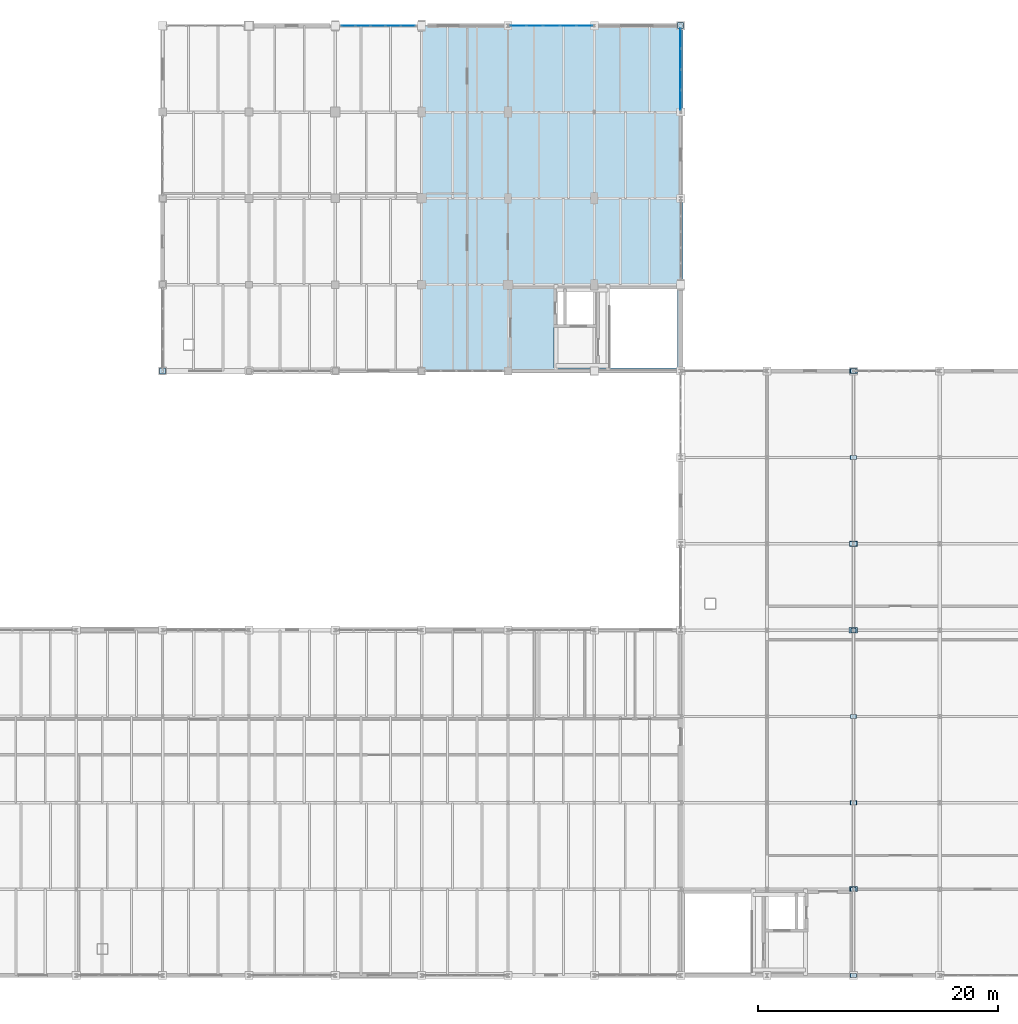
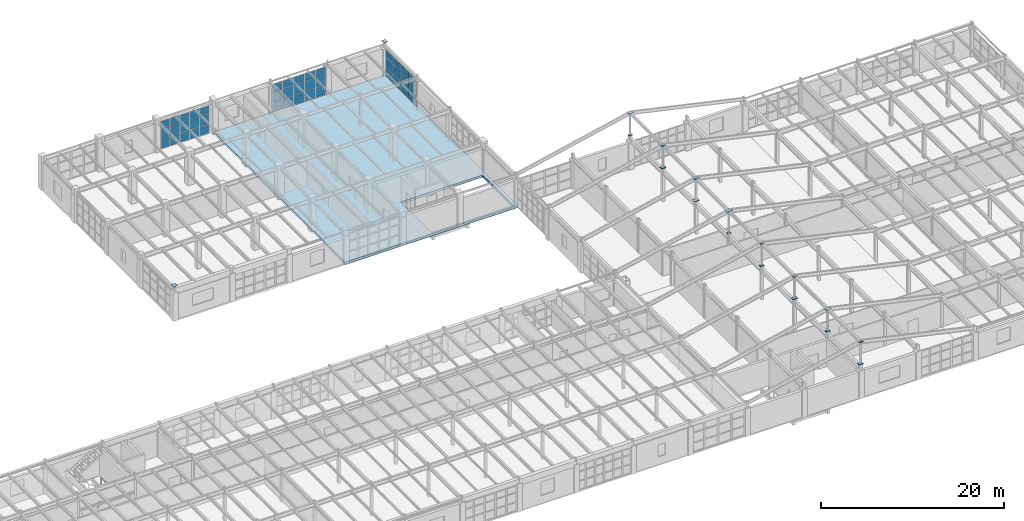
# One storey, part 121 of 137: 60 plates, 1 slab, 3 elements without a shape of their own.
"""IFC4 building model written with IfcOpenShell, lengths in metres."""

import ifcopenshell
import ifcopenshell.guid

model = None  # the IFC model being written
_history = None  # IfcOwnerHistory: only IFC2X3 demands one
_inside = {}  # id of a spatial element -> (the spatial element, [elements in it])
_under = {}  # id of a project, library or spatial element -> (it, [spatial elements below it])
_declared = {}  # id of a project -> (the project, [libraries it declares])
_typed = {}  # id of a type object -> (the type object, [elements of that type])
_made_of = {}  # id of a material, layer set ... -> (it, [elements and type objects made of it])


def new_model(schema):
    """Start an empty IFC model of exactly this schema.

    Asked for "IFC4X3", IfcOpenShell would pick the latest addendum, in which some entities
    have other attributes; the version numbers below select the first issue.
    IFC2X3 requires an IfcOwnerHistory on every rooted entity: one is made here for all.
    """
    global model, _history
    if schema == "IFC4X3":
        model = ifcopenshell.file(schema_version=(4, 3, 0, 0))
    else:
        model = ifcopenshell.file(schema=schema)
    _inside.clear()
    _under.clear()
    _declared.clear()
    _typed.clear()
    _made_of.clear()
    _history = None
    if model.schema == "IFC2X3":
        org = make("IfcOrganization", Name="unknown")
        user = make(
            "IfcPersonAndOrganization",
            ThePerson=make("IfcPerson", FamilyName="unknown"),
            TheOrganization=org,
        )
        app = make(
            "IfcApplication",
            ApplicationDeveloper=org,
            Version="unknown",
            ApplicationFullName="unknown",
            ApplicationIdentifier="unknown",
        )
        _history = make(
            "IfcOwnerHistory",
            OwningUser=user,
            OwningApplication=app,
            ChangeAction="ADDED",
            CreationDate=0,
        )
    return model


def make(cls, **values):
    """One entity of the class cls with the attributes given. An attribute that is None is left unset."""
    return model.create_entity(
        cls, **{name: value for name, value in values.items() if value is not None}
    )


def rooted(cls, **values):
    """An entity with a GlobalId (a new one), such as an element, a storey or a relation."""
    return make(cls, GlobalId=ifcopenshell.guid.new(), OwnerHistory=_history, **values)


def si_unit(unit_type, name, prefix=None):
    """IfcSIUnit, for example si_unit("LENGTHUNIT", "METRE", prefix="MILLI")."""
    return make("IfcSIUnit", UnitType=unit_type, Prefix=prefix, Name=name)


def assignment(units):
    """IfcUnitAssignment: the units of a project."""
    return None if units is None else make("IfcUnitAssignment", Units=units)


def point(xyz):
    """IfcCartesianPoint."""
    return None if xyz is None else make("IfcCartesianPoint", Coordinates=xyz)


def direction(xyz):
    """IfcDirection."""
    return None if xyz is None else make("IfcDirection", DirectionRatios=xyz)


def frame(location, z_axis=None, x_axis=None):
    """IfcAxis2Placement3D, a coordinate frame: its origin and axes. An axis left out is left unset."""
    return make(
        "IfcAxis2Placement3D",
        Location=point(location),
        Axis=direction(z_axis),
        RefDirection=direction(x_axis),
    )


def frame_2d(location, x_axis=None):
    """IfcAxis2Placement2D, a coordinate frame in the plane: its origin and x axis."""
    return make(
        "IfcAxis2Placement2D", Location=point(location), RefDirection=direction(x_axis)
    )


def origin():
    """The frame at (0, 0, 0) with its axes left unset."""
    return frame((0.0, 0.0, 0.0))


def origin_2d():
    """The frame at (0, 0) in the plane with its x axis left unset."""
    return frame_2d((0.0, 0.0))


def place(relative_to, where):
    """IfcLocalPlacement: puts the frame where relative to a parent placement (None: the world)."""
    return make(
        "IfcLocalPlacement", PlacementRelTo=relative_to, RelativePlacement=where
    )


def context(
    kind, dimensions, precision=None, world=None, true_north=None, identifier=None
):
    """IfcGeometricRepresentationContext, for example the 3D "Model" context."""
    return make(
        "IfcGeometricRepresentationContext",
        ContextIdentifier=identifier,
        ContextType=kind,
        CoordinateSpaceDimension=dimensions,
        Precision=precision,
        WorldCoordinateSystem=world,
        TrueNorth=true_north,
    )


def subcontext(parent, identifier, kind, view, scale=None):
    """IfcGeometricRepresentationSubContext, for example "Body" below "Model"."""
    return make(
        "IfcGeometricRepresentationSubContext",
        ContextIdentifier=identifier,
        ContextType=kind,
        ParentContext=parent,
        TargetScale=scale,
        TargetView=view,
    )


def project(units=None, contexts=None):
    """IfcProject with its units and contexts."""
    return rooted(
        "IfcProject",
        Name="project",
        RepresentationContexts=contexts,
        UnitsInContext=assignment(units),
    )


def spatial(cls, under=None, at=None, **own):
    """A site, building, storey or space (cls), placed at a placement, below another one or the project."""
    s = rooted(cls, ObjectPlacement=at, **own)
    if under is not None:
        _under.setdefault(under.id(), (under, []))[1].append(s)
    return s


def polyline(points):
    """IfcPolyline through the points."""
    return make("IfcPolyline", Points=[point(p) for p in points])


def profile(cls, at=None, kind="AREA", **sizes):
    """A parametric profile (cls). Its sizes go by their IFC names, for example OverallWidth=200.0."""
    return make(cls, ProfileType=kind, Position=at, **sizes)


def rectangle(**sizes):
    """IfcRectangleProfileDef."""
    return profile("IfcRectangleProfileDef", **sizes)


def outline(outer, holes=None, kind="AREA"):
    """IfcArbitraryClosedProfileDef: a profile drawn as a closed curve; with holes, ...WithVoids."""
    if holes is None:
        return make("IfcArbitraryClosedProfileDef", ProfileType=kind, OuterCurve=outer)
    return make(
        "IfcArbitraryProfileDefWithVoids",
        ProfileType=kind,
        OuterCurve=outer,
        InnerCurves=holes,
    )


def extrude(swept, where, along, depth):
    """IfcExtrudedAreaSolid: the profile swept, set in the frame where, extruded along a direction by depth."""
    return make(
        "IfcExtrudedAreaSolid",
        SweptArea=swept,
        Position=where,
        ExtrudedDirection=direction(along),
        Depth=depth,
    )


def shape(context_of_items, identifier, shape_type, items):
    """IfcShapeRepresentation: the items that make up one representation, for example the "Body"."""
    return make(
        "IfcShapeRepresentation",
        ContextOfItems=context_of_items,
        RepresentationIdentifier=identifier,
        RepresentationType=shape_type,
        Items=items,
    )


def material(Name=None, Category=None):
    """IfcMaterial."""
    return make("IfcMaterial", Name=Name, Category=Category)


def layer(
    of_material, thickness, ventilated=None, Name=None, Category=None, Priority=None
):
    """IfcMaterialLayer: one layer of a wall or slab, of a material (None: an air gap)."""
    return make(
        "IfcMaterialLayer",
        Material=of_material,
        LayerThickness=thickness,
        IsVentilated=ventilated,
        Name=Name,
        Category=Category,
        Priority=Priority,
    )


def layer_set(layers, Name=None):
    """IfcMaterialLayerSet."""
    return make("IfcMaterialLayerSet", MaterialLayers=layers, LayerSetName=Name)


def made_of(thing, what):
    """Note that an element or type object is made of a material, layer set ...; save() writes the relation."""
    if what is not None:
        _made_of.setdefault(what.id(), (what, []))[1].append(thing)
    return thing


def type_object(cls, material=None, **own):
    """A type object (cls), such as IfcWallType, which elements share."""
    return made_of(rooted(cls, **own), material)


def element(
    cls,
    number,
    at=None,
    inside=None,
    cuts=None,
    type_object=None,
    material=None,
    context=None,
    identifier="Body",
    shape_type=None,
    held_by="IfcProductDefinitionShape",
    body=None,
    shapes=None,
    **own,
):
    """One element of the class cls, such as IfcWall. Its Tag is "e" and its number.

    at: its placement. inside: the storey or other place that contains it. cuts: it is an
    opening in that element (IfcRelVoidsElement). A single representation is given by context,
    identifier, shape_type and body (its items); several are given by shapes. held_by: the class
    of the entity that holds the representations. save() writes the other relations.
    """
    e = rooted(cls, Tag="e%d" % number, ObjectPlacement=at, **own)
    if body is not None:
        shapes = [shape(context, identifier, shape_type, body)]
    if shapes is not None:
        e.Representation = make(held_by, Representations=shapes)
    if inside is not None:
        _inside.setdefault(inside.id(), (inside, []))[1].append(e)
    if cuts is not None:
        rooted(
            "IfcRelVoidsElement", RelatingBuildingElement=cuts, RelatedOpeningElement=e
        )
    if type_object is not None:
        _typed.setdefault(type_object.id(), (type_object, []))[1].append(e)
    return made_of(e, material)


def aggregate(whole, parts):
    """IfcRelAggregates: a whole, such as a stair, and the parts it consists of."""
    return rooted("IfcRelAggregates", RelatingObject=whole, RelatedObjects=parts)


def save(model, path):
    """Write the relations noted so far, then the file.

    IfcRelAggregates (storeys below a building ...), IfcRelContainedInSpatialStructure (elements
    in a storey), IfcRelDefinesByType, IfcRelAssociatesMaterial and IfcRelDeclares: one each for
    every whole, place, type object, material and project.
    """
    for whole, parts in _under.values():
        aggregate(whole, parts)
    for where, things in _inside.values():
        rooted(
            "IfcRelContainedInSpatialStructure",
            RelatedElements=things,
            RelatingStructure=where,
        )
    for kind, things in _typed.values():
        rooted("IfcRelDefinesByType", RelatedObjects=things, RelatingType=kind)
    for what, things in _made_of.values():
        rooted("IfcRelAssociatesMaterial", RelatedObjects=things, RelatingMaterial=what)
    for by, libraries in _declared.values():
        rooted("IfcRelDeclares", RelatingContext=by, RelatedDefinitions=libraries)
    model.write(path)


model = new_model("IFC4")

# Units and contexts
model_context = context("Model", 3, precision=1e-05, world=origin(), true_north=direction((0.0, 1.0)))
body_context = subcontext(model_context, "Body", "Model", "MODEL_VIEW")
ifc_project = project(units=[si_unit("LENGTHUNIT", "METRE"), si_unit("AREAUNIT", "SQUARE_METRE"), si_unit("VOLUMEUNIT", "CUBIC_METRE"), si_unit("PLANEANGLEUNIT", "RADIAN"), si_unit("MASSUNIT", "GRAM", prefix="KILO")], contexts=[model_context])

# Site, building, storey
site_placement = place(None, origin())
site = spatial("IfcSite", under=ifc_project, at=site_placement, CompositionType="ELEMENT")
building_placement = place(site_placement, origin())
building = spatial("IfcBuilding", under=site, at=building_placement, Name="Kemerveld Promenade Tramway Depot", CompositionType="ELEMENT")
storey_placement = place(building_placement, frame((0.0, 0.0, 5.39990234375)))
storey = spatial("IfcBuildingStorey", under=building, at=storey_placement, Name="L01", CompositionType="ELEMENT", Elevation=5.39990234375)

# Curtain wall, plates
ifc_material_1 = material(Name="Bronze anodised aluminium and solar glass", Category="aluminium")
ifc_layer_1 = layer(ifc_material_1, 0.199951171875)
ifc_layer_set_1 = layer_set([ifc_layer_1], Name="CW-SYS-04")
curtain_wall_type_1 = type_object("IfcCurtainWallType", Name="CW-SYS-04", PredefinedType="USERDEFINED", material=ifc_layer_set_1)
curtain_wall_1_placement = place(storey_placement, origin())
curtain_wall_1 = element("IfcCurtainWall", 1, at=curtain_wall_1_placement, inside=storey, type_object=curtain_wall_type_1, Name="CW-L01-V3E-01", ObjectType="GLAZED_CURTAIN_WALL", PredefinedType="USERDEFINED")
ifc_material_2 = material(Name="Solar-control laminated double glazing", Category="glass")
ifc_layer_2 = layer(ifc_material_2, 0.031982421875)
ifc_layer_set_2 = layer_set([ifc_layer_2], Name="CW-PNL-04")
plate_type_1 = type_object("IfcPlateType", Name="CW-PNL-04", PredefinedType="CURTAIN_PANEL", material=ifc_layer_set_2)
plate_1_placement = place(storey_placement, frame((158.39990234375, 78.134765625, 0.065185546875), z_axis=(0.0, 0.0, 1.0), x_axis=(0.0, -1.0, 0.0)))
plate_1 = element("IfcPlate", 2, at=plate_1_placement, type_object=plate_type_1, Name="CW04 panel 1.1", PredefinedType="CURTAIN_PANEL", context=body_context, shape_type="SweptSolid", body=[
    extrude(rectangle(XDim=1.61669921875, YDim=0.031982421875, at=origin_2d()), origin(), (0.0, 0.0, 1.0), 1.19140625),
])
plate_2_placement = place(storey_placement, frame((158.39990234375, 78.134765625, 1.32177734375), z_axis=(0.0, 0.0, 1.0), x_axis=(0.0, -1.0, 0.0)))
plate_2 = element("IfcPlate", 3, at=plate_2_placement, type_object=plate_type_1, Name="CW04 panel 1.2", PredefinedType="CURTAIN_PANEL", context=body_context, shape_type="SweptSolid", body=[
    extrude(rectangle(XDim=1.61669921875, YDim=0.031982421875, at=origin_2d()), origin(), (0.0, 0.0, 1.0), 1.298095703125),
])
plate_3_placement = place(storey_placement, frame((158.39990234375, 78.134765625, 2.6845703125), z_axis=(0.0, 0.0, 1.0), x_axis=(0.0, -1.0, 0.0)))
plate_3 = element("IfcPlate", 4, at=plate_3_placement, type_object=plate_type_1, Name="CW04 panel 1.3", PredefinedType="CURTAIN_PANEL", context=body_context, shape_type="SweptSolid", body=[
    extrude(rectangle(XDim=1.61669921875, YDim=0.031982421875, at=origin_2d()), origin(), (0.0, 0.0, 1.0), 0.933837890625),
])
plate_4_placement = place(storey_placement, frame((158.39990234375, 76.424072265625, 0.065185546875), z_axis=(0.0, 0.0, 1.0), x_axis=(0.0, -1.0, 0.0)))
plate_4 = element("IfcPlate", 5, at=plate_4_placement, type_object=plate_type_1, Name="CW04 panel 2.1", PredefinedType="CURTAIN_PANEL", context=body_context, shape_type="SweptSolid", body=[
    extrude(rectangle(XDim=1.654296875, YDim=0.031982421875, at=origin_2d()), origin(), (0.0, 0.0, 1.0), 1.19140625),
])
plate_5_placement = place(storey_placement, frame((158.39990234375, 76.424072265625, 1.32177734375), z_axis=(0.0, 0.0, 1.0), x_axis=(0.0, -1.0, 0.0)))
plate_5 = element("IfcPlate", 6, at=plate_5_placement, type_object=plate_type_1, Name="CW04 panel 2.2", PredefinedType="CURTAIN_PANEL", context=body_context, shape_type="SweptSolid", body=[
    extrude(rectangle(XDim=1.654296875, YDim=0.031982421875, at=origin_2d()), origin(), (0.0, 0.0, 1.0), 1.298095703125),
])
plate_6_placement = place(storey_placement, frame((158.39990234375, 76.424072265625, 2.6845703125), z_axis=(0.0, 0.0, 1.0), x_axis=(0.0, -1.0, 0.0)))
plate_6 = element("IfcPlate", 7, at=plate_6_placement, type_object=plate_type_1, Name="CW04 panel 2.3", PredefinedType="CURTAIN_PANEL", context=body_context, shape_type="SweptSolid", body=[
    extrude(rectangle(XDim=1.654296875, YDim=0.031982421875, at=origin_2d()), origin(), (0.0, 0.0, 1.0), 0.933837890625),
])
plate_7_placement = place(storey_placement, frame((158.39990234375, 74.69482421875, 0.065185546875), z_axis=(0.0, 0.0, 1.0), x_axis=(0.0, -1.0, 0.0)))
plate_7 = element("IfcPlate", 8, at=plate_7_placement, type_object=plate_type_1, Name="CW04 panel 3.1", PredefinedType="CURTAIN_PANEL", context=body_context, shape_type="SweptSolid", body=[
    extrude(rectangle(XDim=1.654296875, YDim=0.031982421875, at=origin_2d()), origin(), (0.0, 0.0, 1.0), 1.19140625),
])
plate_8_placement = place(storey_placement, frame((158.39990234375, 74.69482421875, 1.32177734375), z_axis=(0.0, 0.0, 1.0), x_axis=(0.0, -1.0, 0.0)))
plate_8 = element("IfcPlate", 9, at=plate_8_placement, type_object=plate_type_1, Name="CW04 panel 3.2", PredefinedType="CURTAIN_PANEL", context=body_context, shape_type="SweptSolid", body=[
    extrude(rectangle(XDim=1.654296875, YDim=0.031982421875, at=origin_2d()), origin(), (0.0, 0.0, 1.0), 1.298095703125),
])
plate_9_placement = place(storey_placement, frame((158.39990234375, 74.69482421875, 2.6845703125), z_axis=(0.0, 0.0, 1.0), x_axis=(0.0, -1.0, 0.0)))
plate_9 = element("IfcPlate", 10, at=plate_9_placement, type_object=plate_type_1, Name="CW04 panel 3.3", PredefinedType="CURTAIN_PANEL", context=body_context, shape_type="SweptSolid", body=[
    extrude(rectangle(XDim=1.654296875, YDim=0.031982421875, at=origin_2d()), origin(), (0.0, 0.0, 1.0), 0.933837890625),
])
plate_10_placement = place(storey_placement, frame((158.39990234375, 72.984375, 0.065185546875), z_axis=(0.0, 0.0, 1.0), x_axis=(0.0, -1.0, 0.0)))
plate_10 = element("IfcPlate", 11, at=plate_10_placement, type_object=plate_type_1, Name="CW04 panel 4.1", PredefinedType="CURTAIN_PANEL", context=body_context, shape_type="SweptSolid", body=[
    extrude(rectangle(XDim=1.61669921875, YDim=0.031982421875, at=origin_2d()), origin(), (0.0, 0.0, 1.0), 1.19140625),
])
plate_11_placement = place(storey_placement, frame((158.39990234375, 72.984375, 1.32177734375), z_axis=(0.0, 0.0, 1.0), x_axis=(0.0, -1.0, 0.0)))
plate_11 = element("IfcPlate", 12, at=plate_11_placement, type_object=plate_type_1, Name="CW04 panel 4.2", PredefinedType="CURTAIN_PANEL", context=body_context, shape_type="SweptSolid", body=[
    extrude(rectangle(XDim=1.61669921875, YDim=0.031982421875, at=origin_2d()), origin(), (0.0, 0.0, 1.0), 1.298095703125),
])
plate_12_placement = place(storey_placement, frame((158.39990234375, 72.984375, 2.6845703125), z_axis=(0.0, 0.0, 1.0), x_axis=(0.0, -1.0, 0.0)))
plate_12 = element("IfcPlate", 13, at=plate_12_placement, type_object=plate_type_1, Name="CW04 panel 4.3", PredefinedType="CURTAIN_PANEL", context=body_context, shape_type="SweptSolid", body=[
    extrude(rectangle(XDim=1.61669921875, YDim=0.031982421875, at=origin_2d()), origin(), (0.0, 0.0, 1.0), 0.933837890625),
])
aggregate(curtain_wall_1, [plate_1, plate_2, plate_3, plate_4, plate_5, plate_6, plate_7, plate_8, plate_9, plate_10, plate_11, plate_12])

ifc_layer_3 = layer(ifc_material_1, 0.199951171875)
ifc_layer_set_3 = layer_set([ifc_layer_3], Name="CW-SYS-06")
curtain_wall_type_2 = type_object("IfcCurtainWallType", Name="CW-SYS-06", PredefinedType="USERDEFINED", material=ifc_layer_set_3)
curtain_wall_2_placement = place(storey_placement, origin())
curtain_wall_2 = element("IfcCurtainWall", 14, at=curtain_wall_2_placement, inside=storey, type_object=curtain_wall_type_2, Name="CW-L01-V3N-03", ObjectType="GLAZED_CURTAIN_WALL", PredefinedType="USERDEFINED")
ifc_layer_4 = layer(ifc_material_2, 0.02587890625)
ifc_layer_set_4 = layer_set([ifc_layer_4], Name="CW-PNL-06")
plate_type_2 = type_object("IfcPlateType", Name="CW-PNL-06", PredefinedType="CURTAIN_PANEL", material=ifc_layer_set_4)
plate_13_placement = place(storey_placement, frame((130.689697265625, 79.199951171875, 0.06494140625), z_axis=(0.0, 0.0, 1.0), x_axis=(1.0, 0.0, 0.0)))
plate_13 = element("IfcPlate", 15, at=plate_13_placement, type_object=plate_type_2, Name="CW06 panel 1.1", PredefinedType="CURTAIN_PANEL", context=body_context, shape_type="SweptSolid", body=[
    extrude(rectangle(XDim=1.139404296875, YDim=0.02587890625, at=origin_2d()), origin(), (0.0, 0.0, 1.0), 1.215576171875),
])
plate_14_placement = place(storey_placement, frame((130.689697265625, 79.199951171875, 1.345703125), z_axis=(0.0, 0.0, 1.0), x_axis=(1.0, 0.0, 0.0)))
plate_14 = element("IfcPlate", 16, at=plate_14_placement, type_object=plate_type_2, Name="CW06 panel 1.2", PredefinedType="CURTAIN_PANEL", context=body_context, shape_type="SweptSolid", body=[
    extrude(rectangle(XDim=1.139404296875, YDim=0.02587890625, at=origin_2d()), origin(), (0.0, 0.0, 1.0), 1.322021484375),
])
plate_15_placement = place(storey_placement, frame((130.689697265625, 79.199951171875, 2.732421875), z_axis=(0.0, 0.0, 1.0), x_axis=(1.0, 0.0, 0.0)))
plate_15 = element("IfcPlate", 17, at=plate_15_placement, type_object=plate_type_2, Name="CW06 panel 1.3", PredefinedType="CURTAIN_PANEL", context=body_context, shape_type="SweptSolid", body=[
    extrude(rectangle(XDim=1.139404296875, YDim=0.02587890625, at=origin_2d()), origin(), (0.0, 0.0, 1.0), 0.952392578125),
])
plate_16_placement = place(storey_placement, frame((131.923095703125, 79.199951171875, 0.06494140625), z_axis=(0.0, 0.0, 1.0), x_axis=(1.0, 0.0, 0.0)))
plate_16 = element("IfcPlate", 18, at=plate_16_placement, type_object=plate_type_2, Name="CW06 panel 2.1", PredefinedType="CURTAIN_PANEL", context=body_context, shape_type="SweptSolid", body=[
    extrude(rectangle(XDim=1.177001953125, YDim=0.02587890625, at=origin_2d()), origin(), (0.0, 0.0, 1.0), 1.215576171875),
])
plate_17_placement = place(storey_placement, frame((131.923095703125, 79.199951171875, 1.345703125), z_axis=(0.0, 0.0, 1.0), x_axis=(1.0, 0.0, 0.0)))
plate_17 = element("IfcPlate", 19, at=plate_17_placement, type_object=plate_type_2, Name="CW06 panel 2.2", PredefinedType="CURTAIN_PANEL", context=body_context, shape_type="SweptSolid", body=[
    extrude(rectangle(XDim=1.177001953125, YDim=0.02587890625, at=origin_2d()), origin(), (0.0, 0.0, 1.0), 1.322021484375),
])
plate_18_placement = place(storey_placement, frame((131.923095703125, 79.199951171875, 2.732421875), z_axis=(0.0, 0.0, 1.0), x_axis=(1.0, 0.0, 0.0)))
plate_18 = element("IfcPlate", 20, at=plate_18_placement, type_object=plate_type_2, Name="CW06 panel 2.3", PredefinedType="CURTAIN_PANEL", context=body_context, shape_type="SweptSolid", body=[
    extrude(rectangle(XDim=1.177001953125, YDim=0.02587890625, at=origin_2d()), origin(), (0.0, 0.0, 1.0), 0.952392578125),
])
plate_19_placement = place(storey_placement, frame((133.175048828125, 79.199951171875, 0.06494140625), z_axis=(0.0, 0.0, 1.0), x_axis=(1.0, 0.0, 0.0)))
plate_19 = element("IfcPlate", 21, at=plate_19_placement, type_object=plate_type_2, Name="CW06 panel 3.1", PredefinedType="CURTAIN_PANEL", context=body_context, shape_type="SweptSolid", body=[
    extrude(rectangle(XDim=1.177001953125, YDim=0.02587890625, at=origin_2d()), origin(), (0.0, 0.0, 1.0), 1.215576171875),
])
plate_20_placement = place(storey_placement, frame((133.175048828125, 79.199951171875, 1.345703125), z_axis=(0.0, 0.0, 1.0), x_axis=(1.0, 0.0, 0.0)))
plate_20 = element("IfcPlate", 22, at=plate_20_placement, type_object=plate_type_2, Name="CW06 panel 3.2", PredefinedType="CURTAIN_PANEL", context=body_context, shape_type="SweptSolid", body=[
    extrude(rectangle(XDim=1.177001953125, YDim=0.02587890625, at=origin_2d()), origin(), (0.0, 0.0, 1.0), 1.322021484375),
])
plate_21_placement = place(storey_placement, frame((133.175048828125, 79.199951171875, 2.732421875), z_axis=(0.0, 0.0, 1.0), x_axis=(1.0, 0.0, 0.0)))
plate_21 = element("IfcPlate", 23, at=plate_21_placement, type_object=plate_type_2, Name="CW06 panel 3.3", PredefinedType="CURTAIN_PANEL", context=body_context, shape_type="SweptSolid", body=[
    extrude(rectangle(XDim=1.177001953125, YDim=0.02587890625, at=origin_2d()), origin(), (0.0, 0.0, 1.0), 0.952392578125),
])
plate_22_placement = place(storey_placement, frame((134.427001953125, 79.199951171875, 0.06494140625), z_axis=(0.0, 0.0, 1.0), x_axis=(1.0, 0.0, 0.0)))
plate_22 = element("IfcPlate", 24, at=plate_22_placement, type_object=plate_type_2, Name="CW06 panel 4.1", PredefinedType="CURTAIN_PANEL", context=body_context, shape_type="SweptSolid", body=[
    extrude(rectangle(XDim=1.177001953125, YDim=0.02587890625, at=origin_2d()), origin(), (0.0, 0.0, 1.0), 1.215576171875),
])
plate_23_placement = place(storey_placement, frame((134.427001953125, 79.199951171875, 1.345703125), z_axis=(0.0, 0.0, 1.0), x_axis=(1.0, 0.0, 0.0)))
plate_23 = element("IfcPlate", 25, at=plate_23_placement, type_object=plate_type_2, Name="CW06 panel 4.2", PredefinedType="CURTAIN_PANEL", context=body_context, shape_type="SweptSolid", body=[
    extrude(rectangle(XDim=1.177001953125, YDim=0.02587890625, at=origin_2d()), origin(), (0.0, 0.0, 1.0), 1.322021484375),
])
plate_24_placement = place(storey_placement, frame((134.427001953125, 79.199951171875, 2.732421875), z_axis=(0.0, 0.0, 1.0), x_axis=(1.0, 0.0, 0.0)))
plate_24 = element("IfcPlate", 26, at=plate_24_placement, type_object=plate_type_2, Name="CW06 panel 4.3", PredefinedType="CURTAIN_PANEL", context=body_context, shape_type="SweptSolid", body=[
    extrude(rectangle(XDim=1.177001953125, YDim=0.02587890625, at=origin_2d()), origin(), (0.0, 0.0, 1.0), 0.952392578125),
])
plate_25_placement = place(storey_placement, frame((135.66015625, 79.199951171875, 0.06494140625), z_axis=(0.0, 0.0, 1.0), x_axis=(1.0, 0.0, 0.0)))
plate_25 = element("IfcPlate", 27, at=plate_25_placement, type_object=plate_type_2, Name="CW06 panel 5.1", PredefinedType="CURTAIN_PANEL", context=body_context, shape_type="SweptSolid", body=[
    extrude(rectangle(XDim=1.139404296875, YDim=0.02587890625, at=origin_2d()), origin(), (0.0, 0.0, 1.0), 1.215576171875),
])
plate_26_placement = place(storey_placement, frame((135.66015625, 79.199951171875, 1.345703125), z_axis=(0.0, 0.0, 1.0), x_axis=(1.0, 0.0, 0.0)))
plate_26 = element("IfcPlate", 28, at=plate_26_placement, type_object=plate_type_2, Name="CW06 panel 5.2", PredefinedType="CURTAIN_PANEL", context=body_context, shape_type="SweptSolid", body=[
    extrude(rectangle(XDim=1.139404296875, YDim=0.02587890625, at=origin_2d()), origin(), (0.0, 0.0, 1.0), 1.322021484375),
])
plate_27_placement = place(storey_placement, frame((135.66015625, 79.199951171875, 2.732421875), z_axis=(0.0, 0.0, 1.0), x_axis=(1.0, 0.0, 0.0)))
plate_27 = element("IfcPlate", 29, at=plate_27_placement, type_object=plate_type_2, Name="CW06 panel 5.3", PredefinedType="CURTAIN_PANEL", context=body_context, shape_type="SweptSolid", body=[
    extrude(rectangle(XDim=1.139404296875, YDim=0.02587890625, at=origin_2d()), origin(), (0.0, 0.0, 1.0), 0.952392578125),
])
aggregate(curtain_wall_2, [plate_13, plate_14, plate_15, plate_16, plate_17, plate_18, plate_19, plate_20, plate_21, plate_22, plate_23, plate_24, plate_25, plate_26, plate_27])

ifc_layer_5 = layer(ifc_material_1, 0.199951171875)
ifc_layer_set_5 = layer_set([ifc_layer_5], Name="CW-SYS-08")
curtain_wall_type_3 = type_object("IfcCurtainWallType", Name="CW-SYS-08", PredefinedType="USERDEFINED", material=ifc_layer_set_5)
curtain_wall_3_placement = place(storey_placement, origin())
curtain_wall_3 = element("IfcCurtainWall", 30, at=curtain_wall_3_placement, inside=storey, type_object=curtain_wall_type_3, Name="CW-L01-V3N-05", ObjectType="GLAZED_CURTAIN_WALL", PredefinedType="USERDEFINED")
ifc_layer_6 = layer(ifc_material_2, 0.028076171875)
ifc_layer_set_6 = layer_set([ifc_layer_6], Name="CW-PNL-08")
plate_type_3 = type_object("IfcPlateType", Name="CW-PNL-08", PredefinedType="CURTAIN_PANEL", material=ifc_layer_set_6)
plate_28_placement = place(storey_placement, frame((144.87109375, 79.199951171875, 0.06494140625), z_axis=(0.0, 0.0, 1.0), x_axis=(1.0, 0.0, 0.0)))
plate_28 = element("IfcPlate", 31, at=plate_28_placement, type_object=plate_type_3, Name="CW08 panel 1.1", PredefinedType="CURTAIN_PANEL", context=body_context, shape_type="SweptSolid", body=[
    extrude(rectangle(XDim=1.275634765625, YDim=0.028076171875, at=origin_2d()), origin(), (0.0, 0.0, 1.0), 1.215576171875),
])
plate_29_placement = place(storey_placement, frame((144.87109375, 79.199951171875, 1.345703125), z_axis=(0.0, 0.0, 1.0), x_axis=(1.0, 0.0, 0.0)))
plate_29 = element("IfcPlate", 32, at=plate_29_placement, type_object=plate_type_3, Name="CW08 panel 1.2", PredefinedType="CURTAIN_PANEL", context=body_context, shape_type="SweptSolid", body=[
    extrude(rectangle(XDim=1.275634765625, YDim=0.028076171875, at=origin_2d()), origin(), (0.0, 0.0, 1.0), 1.322021484375),
])
plate_30_placement = place(storey_placement, frame((144.87109375, 79.199951171875, 2.732421875), z_axis=(0.0, 0.0, 1.0), x_axis=(1.0, 0.0, 0.0)))
plate_30 = element("IfcPlate", 33, at=plate_30_placement, type_object=plate_type_3, Name="CW08 panel 1.3", PredefinedType="CURTAIN_PANEL", context=body_context, shape_type="SweptSolid", body=[
    extrude(rectangle(XDim=1.275634765625, YDim=0.028076171875, at=origin_2d()), origin(), (0.0, 0.0, 1.0), 0.952392578125),
])
plate_31_placement = place(storey_placement, frame((146.240478515625, 79.199951171875, 0.06494140625), z_axis=(0.0, 0.0, 1.0), x_axis=(1.0, 0.0, 0.0)))
plate_31 = element("IfcPlate", 34, at=plate_31_placement, type_object=plate_type_3, Name="CW08 panel 2.1", PredefinedType="CURTAIN_PANEL", context=body_context, shape_type="SweptSolid", body=[
    extrude(rectangle(XDim=1.313232421875, YDim=0.028076171875, at=origin_2d()), origin(), (0.0, 0.0, 1.0), 1.215576171875),
])
plate_32_placement = place(storey_placement, frame((146.240478515625, 79.199951171875, 1.345703125), z_axis=(0.0, 0.0, 1.0), x_axis=(1.0, 0.0, 0.0)))
plate_32 = element("IfcPlate", 35, at=plate_32_placement, type_object=plate_type_3, Name="CW08 panel 2.2", PredefinedType="CURTAIN_PANEL", context=body_context, shape_type="SweptSolid", body=[
    extrude(rectangle(XDim=1.313232421875, YDim=0.028076171875, at=origin_2d()), origin(), (0.0, 0.0, 1.0), 1.322021484375),
])
plate_33_placement = place(storey_placement, frame((146.240478515625, 79.199951171875, 2.732421875), z_axis=(0.0, 0.0, 1.0), x_axis=(1.0, 0.0, 0.0)))
plate_33 = element("IfcPlate", 36, at=plate_33_placement, type_object=plate_type_3, Name="CW08 panel 2.3", PredefinedType="CURTAIN_PANEL", context=body_context, shape_type="SweptSolid", body=[
    extrude(rectangle(XDim=1.313232421875, YDim=0.028076171875, at=origin_2d()), origin(), (0.0, 0.0, 1.0), 0.952392578125),
])
plate_34_placement = place(storey_placement, frame((147.628662109375, 79.199951171875, 0.06494140625), z_axis=(0.0, 0.0, 1.0), x_axis=(1.0, 0.0, 0.0)))
plate_34 = element("IfcPlate", 37, at=plate_34_placement, type_object=plate_type_3, Name="CW08 panel 3.1", PredefinedType="CURTAIN_PANEL", context=body_context, shape_type="SweptSolid", body=[
    extrude(rectangle(XDim=1.313232421875, YDim=0.028076171875, at=origin_2d()), origin(), (0.0, 0.0, 1.0), 1.215576171875),
])
plate_35_placement = place(storey_placement, frame((147.628662109375, 79.199951171875, 1.345703125), z_axis=(0.0, 0.0, 1.0), x_axis=(1.0, 0.0, 0.0)))
plate_35 = element("IfcPlate", 38, at=plate_35_placement, type_object=plate_type_3, Name="CW08 panel 3.2", PredefinedType="CURTAIN_PANEL", context=body_context, shape_type="SweptSolid", body=[
    extrude(rectangle(XDim=1.313232421875, YDim=0.028076171875, at=origin_2d()), origin(), (0.0, 0.0, 1.0), 1.322021484375),
])
plate_36_placement = place(storey_placement, frame((147.628662109375, 79.199951171875, 2.732421875), z_axis=(0.0, 0.0, 1.0), x_axis=(1.0, 0.0, 0.0)))
plate_36 = element("IfcPlate", 39, at=plate_36_placement, type_object=plate_type_3, Name="CW08 panel 3.3", PredefinedType="CURTAIN_PANEL", context=body_context, shape_type="SweptSolid", body=[
    extrude(rectangle(XDim=1.313232421875, YDim=0.028076171875, at=origin_2d()), origin(), (0.0, 0.0, 1.0), 0.952392578125),
])
plate_37_placement = place(storey_placement, frame((149.016845703125, 79.199951171875, 0.06494140625), z_axis=(0.0, 0.0, 1.0), x_axis=(1.0, 0.0, 0.0)))
plate_37 = element("IfcPlate", 40, at=plate_37_placement, type_object=plate_type_3, Name="CW08 panel 4.1", PredefinedType="CURTAIN_PANEL", context=body_context, shape_type="SweptSolid", body=[
    extrude(rectangle(XDim=1.313232421875, YDim=0.028076171875, at=origin_2d()), origin(), (0.0, 0.0, 1.0), 1.215576171875),
])
plate_38_placement = place(storey_placement, frame((149.016845703125, 79.199951171875, 1.345703125), z_axis=(0.0, 0.0, 1.0), x_axis=(1.0, 0.0, 0.0)))
plate_38 = element("IfcPlate", 41, at=plate_38_placement, type_object=plate_type_3, Name="CW08 panel 4.2", PredefinedType="CURTAIN_PANEL", context=body_context, shape_type="SweptSolid", body=[
    extrude(rectangle(XDim=1.313232421875, YDim=0.028076171875, at=origin_2d()), origin(), (0.0, 0.0, 1.0), 1.322021484375),
])
plate_39_placement = place(storey_placement, frame((149.016845703125, 79.199951171875, 2.732421875), z_axis=(0.0, 0.0, 1.0), x_axis=(1.0, 0.0, 0.0)))
plate_39 = element("IfcPlate", 42, at=plate_39_placement, type_object=plate_type_3, Name="CW08 panel 4.3", PredefinedType="CURTAIN_PANEL", context=body_context, shape_type="SweptSolid", body=[
    extrude(rectangle(XDim=1.313232421875, YDim=0.028076171875, at=origin_2d()), origin(), (0.0, 0.0, 1.0), 0.952392578125),
])
plate_40_placement = place(storey_placement, frame((150.38623046875, 79.199951171875, 0.06494140625), z_axis=(0.0, 0.0, 1.0), x_axis=(1.0, 0.0, 0.0)))
plate_40 = element("IfcPlate", 43, at=plate_40_placement, type_object=plate_type_3, Name="CW08 panel 5.1", PredefinedType="CURTAIN_PANEL", context=body_context, shape_type="SweptSolid", body=[
    extrude(rectangle(XDim=1.275634765625, YDim=0.028076171875, at=origin_2d()), origin(), (0.0, 0.0, 1.0), 1.215576171875),
])
plate_41_placement = place(storey_placement, frame((150.38623046875, 79.199951171875, 1.345703125), z_axis=(0.0, 0.0, 1.0), x_axis=(1.0, 0.0, 0.0)))
plate_41 = element("IfcPlate", 44, at=plate_41_placement, type_object=plate_type_3, Name="CW08 panel 5.2", PredefinedType="CURTAIN_PANEL", context=body_context, shape_type="SweptSolid", body=[
    extrude(rectangle(XDim=1.275634765625, YDim=0.028076171875, at=origin_2d()), origin(), (0.0, 0.0, 1.0), 1.322021484375),
])
plate_42_placement = place(storey_placement, frame((150.38623046875, 79.199951171875, 2.732421875), z_axis=(0.0, 0.0, 1.0), x_axis=(1.0, 0.0, 0.0)))
plate_42 = element("IfcPlate", 45, at=plate_42_placement, type_object=plate_type_3, Name="CW08 panel 5.3", PredefinedType="CURTAIN_PANEL", context=body_context, shape_type="SweptSolid", body=[
    extrude(rectangle(XDim=1.275634765625, YDim=0.028076171875, at=origin_2d()), origin(), (0.0, 0.0, 1.0), 0.952392578125),
])
aggregate(curtain_wall_3, [plate_28, plate_29, plate_30, plate_31, plate_32, plate_33, plate_34, plate_35, plate_36, plate_37, plate_38, plate_39, plate_40, plate_41, plate_42])

# Plates
ifc_material_3 = material(Name="Steel S355", Category="steel")
ifc_layer_7 = layer(ifc_material_3, 0.02490234375)
ifc_layer_set_7 = layer_set([ifc_layer_7], Name="PL-BP11")
plate_type_4 = type_object("IfcPlateType", Name="PL-BP11", PredefinedType="USERDEFINED", material=ifc_layer_set_7)
for number, where, z_axis, x_axis, name in (
    (46, (115.199951171875, 50.39990234375, 4.499755859375), (0.0, 0.0, 1.0), (1.0, 0.0, 0.0), "CAP-COL-17H"),
    (47, (158.39990234375, 79.199951171875, 4.499755859375), (0.0, 0.0, 1.0), (1.0, 0.0, 0.0), "CAP-COL-23M"),
):
    element("IfcPlate", number, at=place(storey_placement, frame(where, z_axis=z_axis, x_axis=x_axis)), inside=storey, type_object=plate_type_4, Name=name, ObjectType="BASE_PLATE", PredefinedType="USERDEFINED", context=body_context, shape_type="SweptSolid", body=[
        extrude(rectangle(XDim=0.5, YDim=0.5, at=origin_2d()), origin(), (0.0, 0.0, 1.0), 0.02490234375),
    ])
ifc_layer_8 = layer(ifc_material_3, 0.02490234375)
ifc_layer_set_8 = layer_set([ifc_layer_8], Name="PL-GS01")
plate_type_5 = type_object("IfcPlateType", Name="PL-GS01", PredefinedType="USERDEFINED", material=ifc_layer_set_8)
for number, where, z_axis, x_axis, name in (
    (48, (172.800048828125, 7.199951171875, 7.402587890625), (0.0, 0.0, 1.0), (1.0, 0.0, 0.0), "GP-NODE-0004"),
    (49, (172.800048828125, 50.39990234375, 7.402587890625), (0.0, 0.0, 1.0), (1.0, 0.0, 0.0), "GP-NODE-0016"),
):
    element("IfcPlate", number, at=place(storey_placement, frame(where, z_axis=z_axis, x_axis=x_axis)), inside=storey, type_object=plate_type_5, Name=name, ObjectType="GUSSET_PLATE", PredefinedType="USERDEFINED", context=body_context, shape_type="SweptSolid", body=[
        extrude(rectangle(XDim=0.64990234375, YDim=0.419921875, at=origin_2d()), origin(), (0.0, 0.0, 1.0), 0.02490234375),
    ])
ifc_layer_9 = layer(ifc_material_3, 0.02490234375)
ifc_layer_set_9 = layer_set([ifc_layer_9], Name="PL-GS02")
plate_type_6 = type_object("IfcPlateType", Name="PL-GS02", PredefinedType="USERDEFINED", material=ifc_layer_set_9)
plate_43_placement = place(storey_placement, frame((172.800048828125, 14.39990234375, 4.437744140625), z_axis=(0.0, 0.0, 1.0), x_axis=(1.0, 0.0, 0.0)))
element("IfcPlate", 50, at=plate_43_placement, inside=storey, type_object=plate_type_6, Name="GP-NODE-0005", ObjectType="GUSSET_PLATE", PredefinedType="USERDEFINED", context=body_context, shape_type="SweptSolid", body=[
    extrude(rectangle(XDim=0.580078125, YDim=0.3798828125, at=origin_2d()), origin(), (0.0, 0.0, 1.0), 0.02490234375),
])
ifc_layer_10 = layer(ifc_material_3, 0.02001953125)
ifc_layer_set_10 = layer_set([ifc_layer_10], Name="PL-GS03")
plate_type_7 = type_object("IfcPlateType", Name="PL-GS03", PredefinedType="USERDEFINED", material=ifc_layer_set_10)
plate_44_placement = place(storey_placement, frame((172.800048828125, 14.39990234375, 7.405029296875), z_axis=(0.0, 0.0, 1.0), x_axis=(1.0, 0.0, 0.0)))
element("IfcPlate", 51, at=plate_44_placement, inside=storey, type_object=plate_type_7, Name="GP-NODE-0006", ObjectType="GUSSET_PLATE", PredefinedType="USERDEFINED", context=body_context, shape_type="SweptSolid", body=[
    extrude(rectangle(XDim=0.52001953125, YDim=0.340087890625, at=origin_2d()), origin(), (0.0, 0.0, 1.0), 0.02001953125),
])
ifc_layer_11 = layer(ifc_material_3, 0.02001953125)
ifc_layer_set_11 = layer_set([ifc_layer_11], Name="PL-GS04")
plate_type_8 = type_object("IfcPlateType", Name="PL-GS04", PredefinedType="USERDEFINED", material=ifc_layer_set_11)
plate_45_placement = place(storey_placement, frame((172.800048828125, 21.60009765625, 4.440185546875), z_axis=(0.0, 0.0, 1.0), x_axis=(1.0, 0.0, 0.0)))
element("IfcPlate", 52, at=plate_45_placement, inside=storey, type_object=plate_type_8, Name="GP-NODE-0007", ObjectType="GUSSET_PLATE", PredefinedType="USERDEFINED", context=body_context, shape_type="SweptSolid", body=[
    extrude(rectangle(XDim=0.47998046875, YDim=0.320068359375, at=origin_2d()), origin(), (0.0, 0.0, 1.0), 0.02001953125),
])
ifc_layer_12 = layer(ifc_material_3, 0.02001953125)
ifc_layer_set_12 = layer_set([ifc_layer_12], Name="PL-GS05")
plate_type_9 = type_object("IfcPlateType", Name="PL-GS05", PredefinedType="USERDEFINED", material=ifc_layer_set_12)
plate_46_placement = place(storey_placement, frame((172.800048828125, 21.60009765625, 7.405029296875), z_axis=(0.0, 0.0, 1.0), x_axis=(1.0, 0.0, 0.0)))
element("IfcPlate", 53, at=plate_46_placement, inside=storey, type_object=plate_type_9, Name="GP-NODE-0008", ObjectType="GUSSET_PLATE", PredefinedType="USERDEFINED", context=body_context, shape_type="SweptSolid", body=[
    extrude(rectangle(XDim=0.43994140625, YDim=0.300048828125, at=origin_2d()), origin(), (0.0, 0.0, 1.0), 0.02001953125),
])
ifc_layer_13 = layer(ifc_material_3, 0.01806640625)
ifc_layer_set_13 = layer_set([ifc_layer_13], Name="PL-GS06")
plate_type_10 = type_object("IfcPlateType", Name="PL-GS06", PredefinedType="USERDEFINED", material=ifc_layer_set_13)
plate_47_placement = place(storey_placement, frame((172.800048828125, 28.800048828125, 4.441162109375), z_axis=(0.0, 0.0, 1.0), x_axis=(1.0, 0.0, 0.0)))
element("IfcPlate", 54, at=plate_47_placement, inside=storey, type_object=plate_type_10, Name="GP-NODE-0009", ObjectType="GUSSET_PLATE", PredefinedType="USERDEFINED", context=body_context, shape_type="SweptSolid", body=[
    extrude(rectangle(XDim=0.39990234375, YDim=0.280029296875, at=origin_2d()), origin(), (0.0, 0.0, 1.0), 0.01806640625),
])
ifc_layer_14 = layer(ifc_material_3, 0.028076171875)
ifc_layer_set_14 = layer_set([ifc_layer_14], Name="PL-GS07")
plate_type_11 = type_object("IfcPlateType", Name="PL-GS07", PredefinedType="USERDEFINED", material=ifc_layer_set_14)
plate_48_placement = place(storey_placement, frame((172.800048828125, 28.800048828125, 7.40087890625), z_axis=(0.0, 0.0, 1.0), x_axis=(1.0, 0.0, 0.0)))
element("IfcPlate", 55, at=plate_48_placement, inside=storey, type_object=plate_type_11, Name="GP-NODE-0010", ObjectType="GUSSET_PLATE", PredefinedType="USERDEFINED", context=body_context, shape_type="SweptSolid", body=[
    extrude(rectangle(XDim=0.719970703125, YDim=0.4599609375, at=origin_2d()), origin(), (0.0, 0.0, 1.0), 0.028076171875),
])
ifc_layer_15 = layer(ifc_material_3, 0.02587890625)
ifc_layer_set_15 = layer_set([ifc_layer_15], Name="PL-GS08")
plate_type_12 = type_object("IfcPlateType", Name="PL-GS08", PredefinedType="USERDEFINED", material=ifc_layer_set_15)
plate_49_placement = place(storey_placement, frame((172.800048828125, 36.0, 4.437255859375), z_axis=(0.0, 0.0, 1.0), x_axis=(1.0, 0.0, 0.0)))
element("IfcPlate", 56, at=plate_49_placement, inside=storey, type_object=plate_type_12, Name="GP-NODE-0011", ObjectType="GUSSET_PLATE", PredefinedType="USERDEFINED", context=body_context, shape_type="SweptSolid", body=[
    extrude(rectangle(XDim=0.679931640625, YDim=0.43994140625, at=origin_2d()), origin(), (0.0, 0.0, 1.0), 0.02587890625),
])
ifc_layer_16 = layer(ifc_material_3, 0.02392578125)
ifc_layer_set_16 = layer_set([ifc_layer_16], Name="PL-GS09")
plate_type_13 = type_object("IfcPlateType", Name="PL-GS09", PredefinedType="USERDEFINED", material=ifc_layer_set_16)
plate_50_placement = place(storey_placement, frame((172.800048828125, 36.0, 7.403076171875), z_axis=(0.0, 0.0, 1.0), x_axis=(1.0, 0.0, 0.0)))
element("IfcPlate", 57, at=plate_50_placement, inside=storey, type_object=plate_type_13, Name="GP-NODE-0012", ObjectType="GUSSET_PLATE", PredefinedType="USERDEFINED", context=body_context, shape_type="SweptSolid", body=[
    extrude(rectangle(XDim=0.6201171875, YDim=0.39990234375, at=origin_2d()), origin(), (0.0, 0.0, 1.0), 0.02392578125),
])
ifc_layer_17 = layer(ifc_material_3, 0.02197265625)
ifc_layer_set_17 = layer_set([ifc_layer_17], Name="PL-GS10")
plate_type_14 = type_object("IfcPlateType", Name="PL-GS10", PredefinedType="USERDEFINED", material=ifc_layer_set_17)
for number, where, z_axis, x_axis, name in (
    (58, (172.800048828125, 0.0, 4.439208984375), (0.0, 0.0, 1.0), (1.0, 0.0, 0.0), "GP-NODE-0001"),
    (59, (172.800048828125, 43.199951171875, 4.439208984375), (0.0, 0.0, 1.0), (1.0, 0.0, 0.0), "GP-NODE-0013"),
):
    element("IfcPlate", number, at=place(storey_placement, frame(where, z_axis=z_axis, x_axis=x_axis)), inside=storey, type_object=plate_type_14, Name=name, ObjectType="GUSSET_PLATE", PredefinedType="USERDEFINED", context=body_context, shape_type="SweptSolid", body=[
        extrude(rectangle(XDim=0.550048828125, YDim=0.360107421875, at=origin_2d()), origin(), (0.0, 0.0, 1.0), 0.02197265625),
    ])
ifc_layer_18 = layer(ifc_material_3, 0.02001953125)
ifc_layer_set_18 = layer_set([ifc_layer_18], Name="PL-GS11")
plate_type_15 = type_object("IfcPlateType", Name="PL-GS11", PredefinedType="USERDEFINED", material=ifc_layer_set_18)
for number, where, z_axis, x_axis, name in (
    (60, (172.800048828125, 0.0, 7.405029296875), (0.0, 0.0, 1.0), (1.0, 0.0, 0.0), "GP-NODE-0002"),
    (61, (172.800048828125, 43.199951171875, 7.405029296875), (0.0, 0.0, 1.0), (1.0, 0.0, 0.0), "GP-NODE-0014"),
):
    element("IfcPlate", number, at=place(storey_placement, frame(where, z_axis=z_axis, x_axis=x_axis)), inside=storey, type_object=plate_type_15, Name=name, ObjectType="GUSSET_PLATE", PredefinedType="USERDEFINED", context=body_context, shape_type="SweptSolid", body=[
        extrude(rectangle(XDim=0.5, YDim=0.330078125, at=origin_2d()), origin(), (0.0, 0.0, 1.0), 0.02001953125),
    ])
ifc_layer_19 = layer(ifc_material_3, 0.01806640625)
ifc_layer_set_19 = layer_set([ifc_layer_19], Name="PL-GS12")
plate_type_16 = type_object("IfcPlateType", Name="PL-GS12", PredefinedType="USERDEFINED", material=ifc_layer_set_19)
for number, where, z_axis, x_axis, name in (
    (62, (172.800048828125, 7.199951171875, 4.441162109375), (0.0, 0.0, 1.0), (1.0, 0.0, 0.0), "GP-NODE-0003"),
    (63, (172.800048828125, 50.39990234375, 4.441162109375), (0.0, 0.0, 1.0), (1.0, 0.0, 0.0), "GP-NODE-0015"),
):
    element("IfcPlate", number, at=place(storey_placement, frame(where, z_axis=z_axis, x_axis=x_axis)), inside=storey, type_object=plate_type_16, Name=name, ObjectType="GUSSET_PLATE", PredefinedType="USERDEFINED", context=body_context, shape_type="SweptSolid", body=[
        extrude(rectangle(XDim=0.4599609375, YDim=0.31005859375, at=origin_2d()), origin(), (0.0, 0.0, 1.0), 0.01806640625),
    ])

# Slab
ifc_material_4 = material(Name="Concrete C40/50", Category="concrete")
ifc_layer_20 = layer(ifc_material_4, 0.320068359375)
ifc_layer_set_20 = layer_set([ifc_layer_20], Name="SL-FL05")
slab_type = type_object("IfcSlabType", Name="SL-FL05", PredefinedType="FLOOR", material=ifc_layer_set_20)
slab_placement = place(storey_placement, frame((0.0, 0.0, -0.31982421875)))
element("IfcSlab", 64, at=slab_placement, inside=storey, type_object=slab_type, Name="SLB-L01-V3B", PredefinedType="FLOOR", context=body_context, shape_type="SweptSolid", body=[
    extrude(outline(polyline([(136.800048828125, 50.39990234375), (158.60009765625, 50.39990234375), (158.60009765625, 79.199951171875), (136.800048828125, 79.199951171875), (136.800048828125, 50.39990234375)]), holes=[polyline([(147.85009765625, 50.64990234375), (158.14990234375, 50.64990234375), (158.14990234375, 57.35009765625), (147.85009765625, 57.35009765625), (147.85009765625, 50.64990234375)])]), origin(), (0.0, 0.0, 1.0), 0.31982421875),
])

save(model, "model.ifc")
